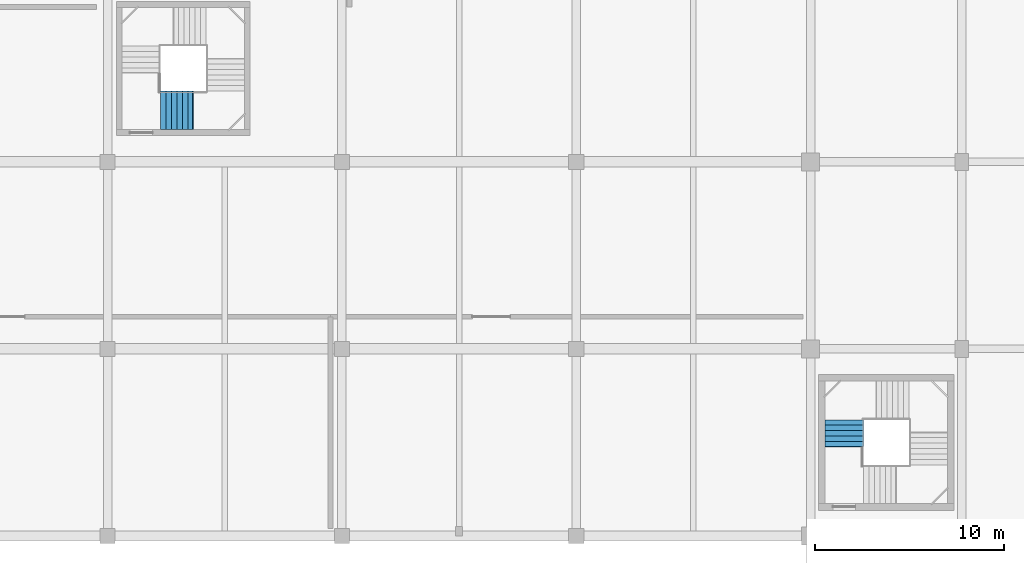
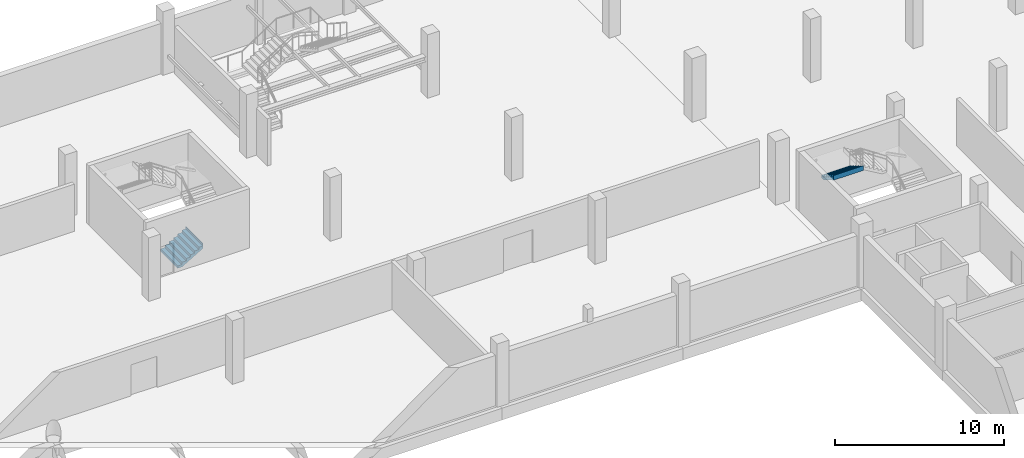
# One storey, part 20 of 32: 2 stair flights, 2 elements without a shape of their own.
"""IFC4 building model written with IfcOpenShell, lengths in metres."""

from ifc_helpers import new_model, si_unit, direction, frame, origin, place, context, subcontext, project, spatial, triangles, material, type_object, element, aggregate, save


model = new_model("IFC4")

# Units and contexts
model_context = context("Model", 3, precision=1e-05, world=origin(), true_north=direction((0.0, 1.0)))
body_context = subcontext(model_context, "Body", "Model", "MODEL_VIEW")
ifc_project = project(units=[si_unit("LENGTHUNIT", "METRE"), si_unit("AREAUNIT", "SQUARE_METRE"), si_unit("VOLUMEUNIT", "CUBIC_METRE"), si_unit("PLANEANGLEUNIT", "RADIAN"), si_unit("MASSUNIT", "GRAM", prefix="KILO")], contexts=[model_context])

# Site, building, storey
site_placement = place(None, origin())
site = spatial("IfcSite", under=ifc_project, at=site_placement, CompositionType="ELEMENT")
building_placement = place(site_placement, origin())
building = spatial("IfcBuilding", under=site, at=building_placement, Name="Sillaruma Civic Art Gallery", CompositionType="ELEMENT")
storey_placement = place(building_placement, frame((0.0, 0.0, -4.590087890625)))
storey = spatial("IfcBuildingStorey", under=building, at=storey_placement, Name="B01", CompositionType="ELEMENT", Elevation=-4.590087890625)

# Stair, stair flight
ifc_material = material(Name="Concrete H35 (35 MPa)", Category="concrete")
stair_type = type_object("IfcStairType", Name="STR-4F-27", PredefinedType="USERDEFINED", material=ifc_material)
stair_1_placement = place(storey_placement, origin())
stair_1 = element("IfcStair", 1, at=stair_1_placement, inside=storey, type_object=stair_type, Name="Protected Exit Stair ST-02 (West Bar North) (B01)", ObjectType="THREE_RETURN_STAIR", PredefinedType="USERDEFINED")
stair_flight_type_1 = type_object("IfcStairFlightType", Name="SFL-STR-6", PredefinedType="STRAIGHT", material=ifc_material)
stair_flight_1_placement = place(storey_placement, frame((63.780029296875, 85.35009765625, 3.570068359375), z_axis=(0.0, 0.0, 1.0), x_axis=(0.0, -1.0, 0.0)))
stair_flight_1 = element("IfcStairFlight", 2, at=stair_flight_1_placement, type_object=stair_flight_type_1, Name="ST-02 flight 4", NumberOfRisers=6, NumberOfTreads=5, PredefinedType="STRAIGHT", RiserHeight=0.17, TreadLength=0.29, context=body_context, shape_type="Tessellation", body=[
    triangles([(0.0, -1.02001953125, 0.0), (0.29, -1.02001953125, 0.0), (0.296365, -1.02001953125, 0.0), (0.58, -1.02001953125, 0.166269), (0.87, -1.02001953125, 0.336269), (1.16, -1.02001953125, 0.506269), (1.409951, -1.02001953125, 0.652792), (1.449951, -1.02001953125, 0.67624), (1.449951, -1.02001953125, 1.02), (1.409951, -1.02001953125, 1.02), (1.409951, -1.02001953125, 0.85), (1.16, -1.02001953125, 0.85), (1.16, -1.02001953125, 0.68), (0.87, -1.02001953125, 0.68), (0.87, -1.02001953125, 0.51), (0.58, -1.02001953125, 0.51), (0.58, -1.02001953125, 0.34), (0.296365, -1.02001953125, 0.34), (0.29, -1.02001953125, 0.34), (0.29, -1.02001953125, 0.17), (0.0, -1.02001953125, 0.17), (0.0, -0.05, 0.0), (0.29, -0.05, 0.0), (0.296365, -0.05, 0.0), (0.58, -0.05, 0.166269), (0.87, -0.05, 0.336269), (1.16, -0.05, 0.506269), (1.409951, -0.05, 0.652792), (1.449951, -0.05, 0.67624), (1.449951, -0.05, 1.02), (1.409951, -0.05, 1.02), (1.409951, -0.05, 0.85), (1.16, -0.05, 0.85), (1.16, -0.05, 0.68), (0.87, -0.05, 0.68), (0.87, -0.05, 0.51), (0.58, -0.05, 0.51), (0.58, -0.05, 0.34), (0.296365, -0.05, 0.34), (0.29, -0.05, 0.34), (0.29, -0.05, 0.17), (0.0, -0.05, 0.17), (0.0, -0.0375, 0.0), (0.29, -0.0375, 0.0), (0.296365, -0.0375, 0.0), (0.58, -0.0375, 0.166269), (0.87, -0.0375, 0.336269), (1.16, -0.0375, 0.506269), (1.409951, -0.0375, 0.652792), (1.449951, -0.0375, 0.67624), (1.449951, -0.0375, 1.02), (1.409951, -0.0375, 1.02), (1.409951, -0.0375, 0.85), (1.16, -0.0375, 0.85), (1.16, -0.0375, 0.68), (0.87, -0.0375, 0.68), (0.87, -0.0375, 0.51), (0.58, -0.0375, 0.51), (0.58, -0.0375, 0.34), (0.296365, -0.0375, 0.34), (0.29, -0.0375, 0.34), (0.29, -0.0375, 0.17), (0.0, -0.0375, 0.17), (0.0, -0.025, 0.0), (0.29, -0.025, 0.0), (0.296365, -0.025, 0.0), (0.58, -0.025, 0.166269), (0.87, -0.025, 0.336269), (1.16, -0.025, 0.506269), (1.409951, -0.025, 0.652792), (1.449951, -0.025, 0.67624), (1.449951, -0.025, 1.02), (1.409951, -0.025, 1.02), (1.409951, -0.025, 0.85), (1.16, -0.025, 0.85), (1.16, -0.025, 0.68), (0.87, -0.025, 0.68), (0.87, -0.025, 0.51), (0.58, -0.025, 0.51), (0.58, -0.025, 0.34), (0.296365, -0.025, 0.34), (0.29, -0.025, 0.34), (0.29, -0.025, 0.17), (0.0, -0.025, 0.17), (0.0, -0.0125, 0.0), (0.29, -0.0125, 0.0), (0.296365, -0.0125, 0.0), (0.58, -0.0125, 0.166269), (0.87, -0.0125, 0.336269), (1.16, -0.0125, 0.506269), (1.409951, -0.0125, 0.652792), (1.449951, -0.0125, 0.67624), (1.449951, -0.0125, 1.02), (1.409951, -0.0125, 1.02), (1.409951, -0.0125, 0.85), (1.16, -0.0125, 0.85), (1.16, -0.0125, 0.68), (0.87, -0.0125, 0.68), (0.87, -0.0125, 0.51), (0.58, -0.0125, 0.51), (0.58, -0.0125, 0.34), (0.296365, -0.0125, 0.34), (0.29, -0.0125, 0.34), (0.29, -0.0125, 0.17), (0.0, -0.0125, 0.17), (0.0, 0.0, 0.0), (0.29, 0.0, 0.0), (0.296365, 0.0, 0.0), (0.58, 0.0, 0.166269), (0.87, 0.0, 0.336269), (1.16, 0.0, 0.506269), (1.409951, 0.0, 0.652792), (1.449951, 0.0, 0.67624), (1.449951, 0.0, 1.02), (1.409951, 0.0, 1.02), (1.409951, 0.0, 0.85), (1.16, 0.0, 0.85), (1.16, 0.0, 0.68), (0.87, 0.0, 0.68), (0.87, 0.0, 0.51), (0.58, 0.0, 0.51), (0.58, 0.0, 0.34), (0.296365, 0.0, 0.34), (0.29, 0.0, 0.34), (0.29, 0.0, 0.17), (0.0, 0.0, 0.17), (0.0, 0.0125, 0.0), (0.29, 0.0125, 0.0), (0.296365, 0.0125, 0.0), (0.58, 0.0125, 0.166269), (0.87, 0.0125, 0.336269), (1.16, 0.0125, 0.506269), (1.409951, 0.0125, 0.652792), (1.449951, 0.0125, 0.67624), (1.449951, 0.0125, 1.02), (1.409951, 0.0125, 1.02), (1.409951, 0.0125, 0.85), (1.16, 0.0125, 0.85), (1.16, 0.0125, 0.68), (0.87, 0.0125, 0.68), (0.87, 0.0125, 0.51), (0.58, 0.0125, 0.51), (0.58, 0.0125, 0.34), (0.296365, 0.0125, 0.34), (0.29, 0.0125, 0.34), (0.29, 0.0125, 0.17), (0.0, 0.0125, 0.17), (0.0, 0.025, 0.0), (0.29, 0.025, 0.0), (0.296365, 0.025, 0.0), (0.58, 0.025, 0.166269), (0.87, 0.025, 0.336269), (1.16, 0.025, 0.506269), (1.409951, 0.025, 0.652792), (1.449951, 0.025, 0.67624), (1.449951, 0.025, 1.02), (1.409951, 0.025, 1.02), (1.409951, 0.025, 0.85), (1.16, 0.025, 0.85), (1.16, 0.025, 0.68), (0.87, 0.025, 0.68), (0.87, 0.025, 0.51), (0.58, 0.025, 0.51), (0.58, 0.025, 0.34), (0.296365, 0.025, 0.34), (0.29, 0.025, 0.34), (0.29, 0.025, 0.17), (0.0, 0.025, 0.17), (0.0, 0.0375, 0.0), (0.29, 0.0375, 0.0), (0.296365, 0.0375, 0.0), (0.58, 0.0375, 0.166269), (0.87, 0.0375, 0.336269), (1.16, 0.0375, 0.506269), (1.409951, 0.0375, 0.652792), (1.449951, 0.0375, 0.67624), (1.449951, 0.0375, 1.02), (1.409951, 0.0375, 1.02), (1.409951, 0.0375, 0.85), (1.16, 0.0375, 0.85), (1.16, 0.0375, 0.68), (0.87, 0.0375, 0.68), (0.87, 0.0375, 0.51), (0.58, 0.0375, 0.51), (0.58, 0.0375, 0.34), (0.296365, 0.0375, 0.34), (0.29, 0.0375, 0.34), (0.29, 0.0375, 0.17), (0.0, 0.0375, 0.17), (0.0, 0.05, 0.0), (0.29, 0.05, 0.0), (0.296365, 0.05, 0.0), (0.58, 0.05, 0.166269), (0.87, 0.05, 0.336269), (1.16, 0.05, 0.506269), (1.409951, 0.05, 0.652792), (1.449951, 0.05, 0.67624), (1.449951, 0.05, 1.02), (1.409951, 0.05, 1.02), (1.409951, 0.05, 0.85), (1.16, 0.05, 0.85), (1.16, 0.05, 0.68), (0.87, 0.05, 0.68), (0.87, 0.05, 0.51), (0.58, 0.05, 0.51), (0.58, 0.05, 0.34), (0.296365, 0.05, 0.34), (0.29, 0.05, 0.34), (0.29, 0.05, 0.17), (0.0, 0.05, 0.17), (0.0, 1.02001953125, 0.0), (0.29, 1.02001953125, 0.0), (0.296365, 1.02001953125, 0.0), (0.58, 1.02001953125, 0.166269), (0.87, 1.02001953125, 0.336269), (1.16, 1.02001953125, 0.506269), (1.409951, 1.02001953125, 0.652792), (1.449951, 1.02001953125, 0.67624), (1.449951, 1.02001953125, 1.02), (1.409951, 1.02001953125, 1.02), (1.409951, 1.02001953125, 0.85), (1.16, 1.02001953125, 0.85), (1.16, 1.02001953125, 0.68), (0.87, 1.02001953125, 0.68), (0.87, 1.02001953125, 0.51), (0.58, 1.02001953125, 0.51), (0.58, 1.02001953125, 0.34), (0.296365, 1.02001953125, 0.34), (0.29, 1.02001953125, 0.34), (0.29, 1.02001953125, 0.17), (0.0, 1.02001953125, 0.17)], [[1, 2, 20], [1, 20, 21], [2, 3, 18], [2, 18, 20], [20, 18, 19], [3, 4, 17], [3, 17, 18], [4, 5, 15], [4, 15, 17], [17, 15, 16], [5, 6, 13], [5, 13, 15], [15, 13, 14], [6, 7, 11], [6, 11, 13], [13, 11, 12], [7, 8, 9], [7, 9, 11], [11, 9, 10], [230, 212, 211], [231, 230, 211], [228, 213, 212], [230, 228, 212], [229, 228, 230], [227, 214, 213], [228, 227, 213], [225, 215, 214], [227, 225, 214], [226, 225, 227], [223, 216, 215], [225, 223, 215], [224, 223, 225], [221, 217, 216], [223, 221, 216], [222, 221, 223], [219, 218, 217], [221, 219, 217], [220, 219, 221], [2, 1, 22], [2, 22, 23], [3, 2, 23], [3, 23, 24], [4, 3, 24], [4, 24, 25], [5, 4, 25], [5, 25, 26], [6, 5, 26], [6, 26, 27], [7, 6, 27], [7, 27, 28], [8, 7, 28], [8, 28, 29], [9, 8, 29], [9, 29, 30], [10, 9, 30], [10, 30, 31], [11, 10, 31], [11, 31, 32], [12, 11, 32], [12, 32, 33], [13, 12, 33], [13, 33, 34], [14, 13, 34], [14, 34, 35], [15, 14, 35], [15, 35, 36], [16, 15, 36], [16, 36, 37], [17, 16, 37], [17, 37, 38], [18, 17, 38], [18, 38, 39], [19, 18, 39], [19, 39, 40], [20, 19, 40], [20, 40, 41], [21, 20, 41], [21, 41, 42], [1, 21, 42], [1, 42, 22], [23, 22, 43], [23, 43, 44], [24, 23, 44], [24, 44, 45], [25, 24, 45], [25, 45, 46], [26, 25, 46], [26, 46, 47], [27, 26, 47], [27, 47, 48], [28, 27, 48], [28, 48, 49], [29, 28, 49], [29, 49, 50], [30, 29, 50], [30, 50, 51], [31, 30, 51], [31, 51, 52], [32, 31, 52], [32, 52, 53], [33, 32, 53], [33, 53, 54], [34, 33, 54], [34, 54, 55], [35, 34, 55], [35, 55, 56], [36, 35, 56], [36, 56, 57], [37, 36, 57], [37, 57, 58], [38, 37, 58], [38, 58, 59], [39, 38, 59], [39, 59, 60], [40, 39, 60], [40, 60, 61], [41, 40, 61], [41, 61, 62], [42, 41, 62], [42, 62, 63], [22, 42, 63], [22, 63, 43], [44, 43, 64], [44, 64, 65], [45, 44, 65], [45, 65, 66], [46, 45, 66], [46, 66, 67], [47, 46, 67], [47, 67, 68], [48, 47, 68], [48, 68, 69], [49, 48, 69], [49, 69, 70], [50, 49, 70], [50, 70, 71], [51, 50, 71], [51, 71, 72], [52, 51, 72], [52, 72, 73], [53, 52, 73], [53, 73, 74], [54, 53, 74], [54, 74, 75], [55, 54, 75], [55, 75, 76], [56, 55, 76], [56, 76, 77], [57, 56, 77], [57, 77, 78], [58, 57, 78], [58, 78, 79], [59, 58, 79], [59, 79, 80], [60, 59, 80], [60, 80, 81], [61, 60, 81], [61, 81, 82], [62, 61, 82], [62, 82, 83], [63, 62, 83], [63, 83, 84], [43, 63, 84], [43, 84, 64], [65, 64, 85], [65, 85, 86], [66, 65, 86], [66, 86, 87], [67, 66, 87], [67, 87, 88], [68, 67, 88], [68, 88, 89], [69, 68, 89], [69, 89, 90], [70, 69, 90], [70, 90, 91], [71, 70, 91], [71, 91, 92], [72, 71, 92], [72, 92, 93], [73, 72, 93], [73, 93, 94], [74, 73, 94], [74, 94, 95], [75, 74, 95], [75, 95, 96], [76, 75, 96], [76, 96, 97], [77, 76, 97], [77, 97, 98], [78, 77, 98], [78, 98, 99], [79, 78, 99], [79, 99, 100], [80, 79, 100], [80, 100, 101], [81, 80, 101], [81, 101, 102], [82, 81, 102], [82, 102, 103], [83, 82, 103], [83, 103, 104], [84, 83, 104], [84, 104, 105], [64, 84, 105], [64, 105, 85], [86, 85, 106], [86, 106, 107], [87, 86, 107], [87, 107, 108], [88, 87, 108], [88, 108, 109], [89, 88, 109], [89, 109, 110], [90, 89, 110], [90, 110, 111], [91, 90, 111], [91, 111, 112], [92, 91, 112], [92, 112, 113], [93, 92, 113], [93, 113, 114], [94, 93, 114], [94, 114, 115], [95, 94, 115], [95, 115, 116], [96, 95, 116], [96, 116, 117], [97, 96, 117], [97, 117, 118], [98, 97, 118], [98, 118, 119], [99, 98, 119], [99, 119, 120], [100, 99, 120], [100, 120, 121], [101, 100, 121], [101, 121, 122], [102, 101, 122], [102, 122, 123], [103, 102, 123], [103, 123, 124], [104, 103, 124], [104, 124, 125], [105, 104, 125], [105, 125, 126], [85, 105, 126], [85, 126, 106], [107, 106, 127], [107, 127, 128], [108, 107, 128], [108, 128, 129], [109, 108, 129], [109, 129, 130], [110, 109, 130], [110, 130, 131], [111, 110, 131], [111, 131, 132], [112, 111, 132], [112, 132, 133], [113, 112, 133], [113, 133, 134], [114, 113, 134], [114, 134, 135], [115, 114, 135], [115, 135, 136], [116, 115, 136], [116, 136, 137], [117, 116, 137], [117, 137, 138], [118, 117, 138], [118, 138, 139], [119, 118, 139], [119, 139, 140], [120, 119, 140], [120, 140, 141], [121, 120, 141], [121, 141, 142], [122, 121, 142], [122, 142, 143], [123, 122, 143], [123, 143, 144], [124, 123, 144], [124, 144, 145], [125, 124, 145], [125, 145, 146], [126, 125, 146], [126, 146, 147], [106, 126, 147], [106, 147, 127], [128, 127, 148], [128, 148, 149], [129, 128, 149], [129, 149, 150], [130, 129, 150], [130, 150, 151], [131, 130, 151], [131, 151, 152], [132, 131, 152], [132, 152, 153], [133, 132, 153], [133, 153, 154], [134, 133, 154], [134, 154, 155], [135, 134, 155], [135, 155, 156], [136, 135, 156], [136, 156, 157], [137, 136, 157], [137, 157, 158], [138, 137, 158], [138, 158, 159], [139, 138, 159], [139, 159, 160], [140, 139, 160], [140, 160, 161], [141, 140, 161], [141, 161, 162], [142, 141, 162], [142, 162, 163], [143, 142, 163], [143, 163, 164], [144, 143, 164], [144, 164, 165], [145, 144, 165], [145, 165, 166], [146, 145, 166], [146, 166, 167], [147, 146, 167], [147, 167, 168], [127, 147, 168], [127, 168, 148], [149, 148, 169], [149, 169, 170], [150, 149, 170], [150, 170, 171], [151, 150, 171], [151, 171, 172], [152, 151, 172], [152, 172, 173], [153, 152, 173], [153, 173, 174], [154, 153, 174], [154, 174, 175], [155, 154, 175], [155, 175, 176], [156, 155, 176], [156, 176, 177], [157, 156, 177], [157, 177, 178], [158, 157, 178], [158, 178, 179], [159, 158, 179], [159, 179, 180], [160, 159, 180], [160, 180, 181], [161, 160, 181], [161, 181, 182], [162, 161, 182], [162, 182, 183], [163, 162, 183], [163, 183, 184], [164, 163, 184], [164, 184, 185], [165, 164, 185], [165, 185, 186], [166, 165, 186], [166, 186, 187], [167, 166, 187], [167, 187, 188], [168, 167, 188], [168, 188, 189], [148, 168, 189], [148, 189, 169], [170, 169, 190], [170, 190, 191], [171, 170, 191], [171, 191, 192], [172, 171, 192], [172, 192, 193], [173, 172, 193], [173, 193, 194], [174, 173, 194], [174, 194, 195], [175, 174, 195], [175, 195, 196], [176, 175, 196], [176, 196, 197], [177, 176, 197], [177, 197, 198], [178, 177, 198], [178, 198, 199], [179, 178, 199], [179, 199, 200], [180, 179, 200], [180, 200, 201], [181, 180, 201], [181, 201, 202], [182, 181, 202], [182, 202, 203], [183, 182, 203], [183, 203, 204], [184, 183, 204], [184, 204, 205], [185, 184, 205], [185, 205, 206], [186, 185, 206], [186, 206, 207], [187, 186, 207], [187, 207, 208], [188, 187, 208], [188, 208, 209], [189, 188, 209], [189, 209, 210], [169, 189, 210], [169, 210, 190], [191, 190, 211], [191, 211, 212], [192, 191, 212], [192, 212, 213], [193, 192, 213], [193, 213, 214], [194, 193, 214], [194, 214, 215], [195, 194, 215], [195, 215, 216], [196, 195, 216], [196, 216, 217], [197, 196, 217], [197, 217, 218], [198, 197, 218], [198, 218, 219], [199, 198, 219], [199, 219, 220], [200, 199, 220], [200, 220, 221], [201, 200, 221], [201, 221, 222], [202, 201, 222], [202, 222, 223], [203, 202, 223], [203, 223, 224], [204, 203, 224], [204, 224, 225], [205, 204, 225], [205, 225, 226], [206, 205, 226], [206, 226, 227], [207, 206, 227], [207, 227, 228], [208, 207, 228], [208, 228, 229], [209, 208, 229], [209, 229, 230], [210, 209, 230], [210, 230, 231], [190, 210, 231], [190, 231, 211]], closed=True),
])
aggregate(stair_1, [stair_flight_1])

stair_2_placement = place(storey_placement, origin())
stair_2 = element("IfcStair", 3, at=stair_2_placement, inside=storey, type_object=stair_type, Name="Protected Exit Stair ST-01 (West Wing) (B01)", ObjectType="THREE_RETURN_STAIR", PredefinedType="USERDEFINED")
stair_flight_type_2 = type_object("IfcStairFlightType", Name="SFL-STR-7", PredefinedType="STRAIGHT", material=ifc_material)
stair_flight_2_placement = place(storey_placement, frame((27.60009765625, 101.719970703125, 0.0), z_axis=(0.0, 0.0, 1.0), x_axis=(1.0, 0.0, 0.0)))
stair_flight_2 = element("IfcStairFlight", 4, at=stair_flight_2_placement, type_object=stair_flight_type_2, Name="ST-01 flight 1", NumberOfRisers=7, NumberOfTreads=6, PredefinedType="STRAIGHT", RiserHeight=0.17, TreadLength=0.29, context=body_context, shape_type="Tessellation", body=[
    triangles([(0.0, -1.02001953125, 0.0), (0.29, -1.02001953125, 0.0), (0.296404, -1.02001953125, 0.0), (0.58, -1.02001953125, 0.166246), (0.87, -1.02001953125, 0.336246), (1.16, -1.02001953125, 0.506246), (1.45, -1.02001953125, 0.676246), (1.69999, -1.02001953125, 0.822792), (1.73999, -1.02001953125, 0.84624), (1.73999, -1.02001953125, 1.19), (1.69999, -1.02001953125, 1.19), (1.69999, -1.02001953125, 1.02), (1.45, -1.02001953125, 1.02), (1.45, -1.02001953125, 0.85), (1.16, -1.02001953125, 0.85), (1.16, -1.02001953125, 0.68), (0.87, -1.02001953125, 0.68), (0.87, -1.02001953125, 0.51), (0.58, -1.02001953125, 0.51), (0.58, -1.02001953125, 0.34), (0.296404, -1.02001953125, 0.34), (0.29, -1.02001953125, 0.34), (0.29, -1.02001953125, 0.17), (0.0, -1.02001953125, 0.17), (0.0, -0.05, 0.0), (0.29, -0.05, 0.0), (0.296404, -0.05, 0.0), (0.58, -0.05, 0.166246), (0.87, -0.05, 0.336246), (1.16, -0.05, 0.506246), (1.45, -0.05, 0.676246), (1.69999, -0.05, 0.822792), (1.73999, -0.05, 0.84624), (1.73999, -0.05, 1.19), (1.69999, -0.05, 1.19), (1.69999, -0.05, 1.02), (1.45, -0.05, 1.02), (1.45, -0.05, 0.85), (1.16, -0.05, 0.85), (1.16, -0.05, 0.68), (0.87, -0.05, 0.68), (0.87, -0.05, 0.51), (0.58, -0.05, 0.51), (0.58, -0.05, 0.34), (0.296404, -0.05, 0.34), (0.29, -0.05, 0.34), (0.29, -0.05, 0.17), (0.0, -0.05, 0.17), (0.0, -0.0375, 0.0), (0.29, -0.0375, 0.0), (0.296404, -0.0375, 0.0), (0.58, -0.0375, 0.166246), (0.87, -0.0375, 0.336246), (1.16, -0.0375, 0.506246), (1.45, -0.0375, 0.676246), (1.69999, -0.0375, 0.822792), (1.73999, -0.0375, 0.84624), (1.73999, -0.0375, 1.19), (1.69999, -0.0375, 1.19), (1.69999, -0.0375, 1.02), (1.45, -0.0375, 1.02), (1.45, -0.0375, 0.85), (1.16, -0.0375, 0.85), (1.16, -0.0375, 0.68), (0.87, -0.0375, 0.68), (0.87, -0.0375, 0.51), (0.58, -0.0375, 0.51), (0.58, -0.0375, 0.34), (0.296404, -0.0375, 0.34), (0.29, -0.0375, 0.34), (0.29, -0.0375, 0.17), (0.0, -0.0375, 0.17), (0.0, -0.025, 0.0), (0.29, -0.025, 0.0), (0.296404, -0.025, 0.0), (0.58, -0.025, 0.166246), (0.87, -0.025, 0.336246), (1.16, -0.025, 0.506246), (1.45, -0.025, 0.676246), (1.69999, -0.025, 0.822792), (1.73999, -0.025, 0.84624), (1.73999, -0.025, 1.19), (1.69999, -0.025, 1.19), (1.69999, -0.025, 1.02), (1.45, -0.025, 1.02), (1.45, -0.025, 0.85), (1.16, -0.025, 0.85), (1.16, -0.025, 0.68), (0.87, -0.025, 0.68), (0.87, -0.025, 0.51), (0.58, -0.025, 0.51), (0.58, -0.025, 0.34), (0.296404, -0.025, 0.34), (0.29, -0.025, 0.34), (0.29, -0.025, 0.17), (0.0, -0.025, 0.17), (0.0, -0.0125, 0.0), (0.29, -0.0125, 0.0), (0.296404, -0.0125, 0.0), (0.58, -0.0125, 0.166246), (0.87, -0.0125, 0.336246), (1.16, -0.0125, 0.506246), (1.45, -0.0125, 0.676246), (1.69999, -0.0125, 0.822792), (1.73999, -0.0125, 0.84624), (1.73999, -0.0125, 1.19), (1.69999, -0.0125, 1.19), (1.69999, -0.0125, 1.02), (1.45, -0.0125, 1.02), (1.45, -0.0125, 0.85), (1.16, -0.0125, 0.85), (1.16, -0.0125, 0.68), (0.87, -0.0125, 0.68), (0.87, -0.0125, 0.51), (0.58, -0.0125, 0.51), (0.58, -0.0125, 0.34), (0.296404, -0.0125, 0.34), (0.29, -0.0125, 0.34), (0.29, -0.0125, 0.17), (0.0, -0.0125, 0.17), (0.0, 0.0, 0.0), (0.29, 0.0, 0.0), (0.296404, 0.0, 0.0), (0.58, 0.0, 0.166246), (0.87, 0.0, 0.336246), (1.16, 0.0, 0.506246), (1.45, 0.0, 0.676246), (1.69999, 0.0, 0.822792), (1.73999, 0.0, 0.84624), (1.73999, 0.0, 1.19), (1.69999, 0.0, 1.19), (1.69999, 0.0, 1.02), (1.45, 0.0, 1.02), (1.45, 0.0, 0.85), (1.16, 0.0, 0.85), (1.16, 0.0, 0.68), (0.87, 0.0, 0.68), (0.87, 0.0, 0.51), (0.58, 0.0, 0.51), (0.58, 0.0, 0.34), (0.296404, 0.0, 0.34), (0.29, 0.0, 0.34), (0.29, 0.0, 0.17), (0.0, 0.0, 0.17), (0.0, 0.0125, 0.0), (0.29, 0.0125, 0.0), (0.296404, 0.0125, 0.0), (0.58, 0.0125, 0.166246), (0.87, 0.0125, 0.336246), (1.16, 0.0125, 0.506246), (1.45, 0.0125, 0.676246), (1.69999, 0.0125, 0.822792), (1.73999, 0.0125, 0.84624), (1.73999, 0.0125, 1.19), (1.69999, 0.0125, 1.19), (1.69999, 0.0125, 1.02), (1.45, 0.0125, 1.02), (1.45, 0.0125, 0.85), (1.16, 0.0125, 0.85), (1.16, 0.0125, 0.68), (0.87, 0.0125, 0.68), (0.87, 0.0125, 0.51), (0.58, 0.0125, 0.51), (0.58, 0.0125, 0.34), (0.296404, 0.0125, 0.34), (0.29, 0.0125, 0.34), (0.29, 0.0125, 0.17), (0.0, 0.0125, 0.17), (0.0, 0.025, 0.0), (0.29, 0.025, 0.0), (0.296404, 0.025, 0.0), (0.58, 0.025, 0.166246), (0.87, 0.025, 0.336246), (1.16, 0.025, 0.506246), (1.45, 0.025, 0.676246), (1.69999, 0.025, 0.822792), (1.73999, 0.025, 0.84624), (1.73999, 0.025, 1.19), (1.69999, 0.025, 1.19), (1.69999, 0.025, 1.02), (1.45, 0.025, 1.02), (1.45, 0.025, 0.85), (1.16, 0.025, 0.85), (1.16, 0.025, 0.68), (0.87, 0.025, 0.68), (0.87, 0.025, 0.51), (0.58, 0.025, 0.51), (0.58, 0.025, 0.34), (0.296404, 0.025, 0.34), (0.29, 0.025, 0.34), (0.29, 0.025, 0.17), (0.0, 0.025, 0.17), (0.0, 0.0375, 0.0), (0.29, 0.0375, 0.0), (0.296404, 0.0375, 0.0), (0.58, 0.0375, 0.166246), (0.87, 0.0375, 0.336246), (1.16, 0.0375, 0.506246), (1.45, 0.0375, 0.676246), (1.69999, 0.0375, 0.822792), (1.73999, 0.0375, 0.84624), (1.73999, 0.0375, 1.19), (1.69999, 0.0375, 1.19), (1.69999, 0.0375, 1.02), (1.45, 0.0375, 1.02), (1.45, 0.0375, 0.85), (1.16, 0.0375, 0.85), (1.16, 0.0375, 0.68), (0.87, 0.0375, 0.68), (0.87, 0.0375, 0.51), (0.58, 0.0375, 0.51), (0.58, 0.0375, 0.34), (0.296404, 0.0375, 0.34), (0.29, 0.0375, 0.34), (0.29, 0.0375, 0.17), (0.0, 0.0375, 0.17), (0.0, 0.05, 0.0), (0.29, 0.05, 0.0), (0.296404, 0.05, 0.0), (0.58, 0.05, 0.166246), (0.87, 0.05, 0.336246), (1.16, 0.05, 0.506246), (1.45, 0.05, 0.676246), (1.69999, 0.05, 0.822792), (1.73999, 0.05, 0.84624), (1.73999, 0.05, 1.19), (1.69999, 0.05, 1.19), (1.69999, 0.05, 1.02), (1.45, 0.05, 1.02), (1.45, 0.05, 0.85), (1.16, 0.05, 0.85), (1.16, 0.05, 0.68), (0.87, 0.05, 0.68), (0.87, 0.05, 0.51), (0.58, 0.05, 0.51), (0.58, 0.05, 0.34), (0.296404, 0.05, 0.34), (0.29, 0.05, 0.34), (0.29, 0.05, 0.17), (0.0, 0.05, 0.17), (0.0, 1.02001953125, 0.0), (0.29, 1.02001953125, 0.0), (0.296404, 1.02001953125, 0.0), (0.58, 1.02001953125, 0.166246), (0.87, 1.02001953125, 0.336246), (1.16, 1.02001953125, 0.506246), (1.45, 1.02001953125, 0.676246), (1.69999, 1.02001953125, 0.822792), (1.73999, 1.02001953125, 0.84624), (1.73999, 1.02001953125, 1.19), (1.69999, 1.02001953125, 1.19), (1.69999, 1.02001953125, 1.02), (1.45, 1.02001953125, 1.02), (1.45, 1.02001953125, 0.85), (1.16, 1.02001953125, 0.85), (1.16, 1.02001953125, 0.68), (0.87, 1.02001953125, 0.68), (0.87, 1.02001953125, 0.51), (0.58, 1.02001953125, 0.51), (0.58, 1.02001953125, 0.34), (0.296404, 1.02001953125, 0.34), (0.29, 1.02001953125, 0.34), (0.29, 1.02001953125, 0.17), (0.0, 1.02001953125, 0.17)], [[1, 2, 23], [1, 23, 24], [2, 3, 21], [2, 21, 23], [23, 21, 22], [3, 4, 20], [3, 20, 21], [4, 5, 18], [4, 18, 20], [20, 18, 19], [5, 6, 16], [5, 16, 18], [18, 16, 17], [6, 7, 14], [6, 14, 16], [16, 14, 15], [7, 8, 12], [7, 12, 14], [14, 12, 13], [8, 9, 10], [8, 10, 12], [12, 10, 11], [263, 242, 241], [264, 263, 241], [261, 243, 242], [263, 261, 242], [262, 261, 263], [260, 244, 243], [261, 260, 243], [258, 245, 244], [260, 258, 244], [259, 258, 260], [256, 246, 245], [258, 256, 245], [257, 256, 258], [254, 247, 246], [256, 254, 246], [255, 254, 256], [252, 248, 247], [254, 252, 247], [253, 252, 254], [250, 249, 248], [252, 250, 248], [251, 250, 252], [2, 1, 25], [2, 25, 26], [3, 2, 26], [3, 26, 27], [4, 3, 27], [4, 27, 28], [5, 4, 28], [5, 28, 29], [6, 5, 29], [6, 29, 30], [7, 6, 30], [7, 30, 31], [8, 7, 31], [8, 31, 32], [9, 8, 32], [9, 32, 33], [10, 9, 33], [10, 33, 34], [11, 10, 34], [11, 34, 35], [12, 11, 35], [12, 35, 36], [13, 12, 36], [13, 36, 37], [14, 13, 37], [14, 37, 38], [15, 14, 38], [15, 38, 39], [16, 15, 39], [16, 39, 40], [17, 16, 40], [17, 40, 41], [18, 17, 41], [18, 41, 42], [19, 18, 42], [19, 42, 43], [20, 19, 43], [20, 43, 44], [21, 20, 44], [21, 44, 45], [22, 21, 45], [22, 45, 46], [23, 22, 46], [23, 46, 47], [24, 23, 47], [24, 47, 48], [1, 24, 48], [1, 48, 25], [26, 25, 49], [26, 49, 50], [27, 26, 50], [27, 50, 51], [28, 27, 51], [28, 51, 52], [29, 28, 52], [29, 52, 53], [30, 29, 53], [30, 53, 54], [31, 30, 54], [31, 54, 55], [32, 31, 55], [32, 55, 56], [33, 32, 56], [33, 56, 57], [34, 33, 57], [34, 57, 58], [35, 34, 58], [35, 58, 59], [36, 35, 59], [36, 59, 60], [37, 36, 60], [37, 60, 61], [38, 37, 61], [38, 61, 62], [39, 38, 62], [39, 62, 63], [40, 39, 63], [40, 63, 64], [41, 40, 64], [41, 64, 65], [42, 41, 65], [42, 65, 66], [43, 42, 66], [43, 66, 67], [44, 43, 67], [44, 67, 68], [45, 44, 68], [45, 68, 69], [46, 45, 69], [46, 69, 70], [47, 46, 70], [47, 70, 71], [48, 47, 71], [48, 71, 72], [25, 48, 72], [25, 72, 49], [50, 49, 73], [50, 73, 74], [51, 50, 74], [51, 74, 75], [52, 51, 75], [52, 75, 76], [53, 52, 76], [53, 76, 77], [54, 53, 77], [54, 77, 78], [55, 54, 78], [55, 78, 79], [56, 55, 79], [56, 79, 80], [57, 56, 80], [57, 80, 81], [58, 57, 81], [58, 81, 82], [59, 58, 82], [59, 82, 83], [60, 59, 83], [60, 83, 84], [61, 60, 84], [61, 84, 85], [62, 61, 85], [62, 85, 86], [63, 62, 86], [63, 86, 87], [64, 63, 87], [64, 87, 88], [65, 64, 88], [65, 88, 89], [66, 65, 89], [66, 89, 90], [67, 66, 90], [67, 90, 91], [68, 67, 91], [68, 91, 92], [69, 68, 92], [69, 92, 93], [70, 69, 93], [70, 93, 94], [71, 70, 94], [71, 94, 95], [72, 71, 95], [72, 95, 96], [49, 72, 96], [49, 96, 73], [74, 73, 97], [74, 97, 98], [75, 74, 98], [75, 98, 99], [76, 75, 99], [76, 99, 100], [77, 76, 100], [77, 100, 101], [78, 77, 101], [78, 101, 102], [79, 78, 102], [79, 102, 103], [80, 79, 103], [80, 103, 104], [81, 80, 104], [81, 104, 105], [82, 81, 105], [82, 105, 106], [83, 82, 106], [83, 106, 107], [84, 83, 107], [84, 107, 108], [85, 84, 108], [85, 108, 109], [86, 85, 109], [86, 109, 110], [87, 86, 110], [87, 110, 111], [88, 87, 111], [88, 111, 112], [89, 88, 112], [89, 112, 113], [90, 89, 113], [90, 113, 114], [91, 90, 114], [91, 114, 115], [92, 91, 115], [92, 115, 116], [93, 92, 116], [93, 116, 117], [94, 93, 117], [94, 117, 118], [95, 94, 118], [95, 118, 119], [96, 95, 119], [96, 119, 120], [73, 96, 120], [73, 120, 97], [98, 97, 121], [98, 121, 122], [99, 98, 122], [99, 122, 123], [100, 99, 123], [100, 123, 124], [101, 100, 124], [101, 124, 125], [102, 101, 125], [102, 125, 126], [103, 102, 126], [103, 126, 127], [104, 103, 127], [104, 127, 128], [105, 104, 128], [105, 128, 129], [106, 105, 129], [106, 129, 130], [107, 106, 130], [107, 130, 131], [108, 107, 131], [108, 131, 132], [109, 108, 132], [109, 132, 133], [110, 109, 133], [110, 133, 134], [111, 110, 134], [111, 134, 135], [112, 111, 135], [112, 135, 136], [113, 112, 136], [113, 136, 137], [114, 113, 137], [114, 137, 138], [115, 114, 138], [115, 138, 139], [116, 115, 139], [116, 139, 140], [117, 116, 140], [117, 140, 141], [118, 117, 141], [118, 141, 142], [119, 118, 142], [119, 142, 143], [120, 119, 143], [120, 143, 144], [97, 120, 144], [97, 144, 121], [122, 121, 145], [122, 145, 146], [123, 122, 146], [123, 146, 147], [124, 123, 147], [124, 147, 148], [125, 124, 148], [125, 148, 149], [126, 125, 149], [126, 149, 150], [127, 126, 150], [127, 150, 151], [128, 127, 151], [128, 151, 152], [129, 128, 152], [129, 152, 153], [130, 129, 153], [130, 153, 154], [131, 130, 154], [131, 154, 155], [132, 131, 155], [132, 155, 156], [133, 132, 156], [133, 156, 157], [134, 133, 157], [134, 157, 158], [135, 134, 158], [135, 158, 159], [136, 135, 159], [136, 159, 160], [137, 136, 160], [137, 160, 161], [138, 137, 161], [138, 161, 162], [139, 138, 162], [139, 162, 163], [140, 139, 163], [140, 163, 164], [141, 140, 164], [141, 164, 165], [142, 141, 165], [142, 165, 166], [143, 142, 166], [143, 166, 167], [144, 143, 167], [144, 167, 168], [121, 144, 168], [121, 168, 145], [146, 145, 169], [146, 169, 170], [147, 146, 170], [147, 170, 171], [148, 147, 171], [148, 171, 172], [149, 148, 172], [149, 172, 173], [150, 149, 173], [150, 173, 174], [151, 150, 174], [151, 174, 175], [152, 151, 175], [152, 175, 176], [153, 152, 176], [153, 176, 177], [154, 153, 177], [154, 177, 178], [155, 154, 178], [155, 178, 179], [156, 155, 179], [156, 179, 180], [157, 156, 180], [157, 180, 181], [158, 157, 181], [158, 181, 182], [159, 158, 182], [159, 182, 183], [160, 159, 183], [160, 183, 184], [161, 160, 184], [161, 184, 185], [162, 161, 185], [162, 185, 186], [163, 162, 186], [163, 186, 187], [164, 163, 187], [164, 187, 188], [165, 164, 188], [165, 188, 189], [166, 165, 189], [166, 189, 190], [167, 166, 190], [167, 190, 191], [168, 167, 191], [168, 191, 192], [145, 168, 192], [145, 192, 169], [170, 169, 193], [170, 193, 194], [171, 170, 194], [171, 194, 195], [172, 171, 195], [172, 195, 196], [173, 172, 196], [173, 196, 197], [174, 173, 197], [174, 197, 198], [175, 174, 198], [175, 198, 199], [176, 175, 199], [176, 199, 200], [177, 176, 200], [177, 200, 201], [178, 177, 201], [178, 201, 202], [179, 178, 202], [179, 202, 203], [180, 179, 203], [180, 203, 204], [181, 180, 204], [181, 204, 205], [182, 181, 205], [182, 205, 206], [183, 182, 206], [183, 206, 207], [184, 183, 207], [184, 207, 208], [185, 184, 208], [185, 208, 209], [186, 185, 209], [186, 209, 210], [187, 186, 210], [187, 210, 211], [188, 187, 211], [188, 211, 212], [189, 188, 212], [189, 212, 213], [190, 189, 213], [190, 213, 214], [191, 190, 214], [191, 214, 215], [192, 191, 215], [192, 215, 216], [169, 192, 216], [169, 216, 193], [194, 193, 217], [194, 217, 218], [195, 194, 218], [195, 218, 219], [196, 195, 219], [196, 219, 220], [197, 196, 220], [197, 220, 221], [198, 197, 221], [198, 221, 222], [199, 198, 222], [199, 222, 223], [200, 199, 223], [200, 223, 224], [201, 200, 224], [201, 224, 225], [202, 201, 225], [202, 225, 226], [203, 202, 226], [203, 226, 227], [204, 203, 227], [204, 227, 228], [205, 204, 228], [205, 228, 229], [206, 205, 229], [206, 229, 230], [207, 206, 230], [207, 230, 231], [208, 207, 231], [208, 231, 232], [209, 208, 232], [209, 232, 233], [210, 209, 233], [210, 233, 234], [211, 210, 234], [211, 234, 235], [212, 211, 235], [212, 235, 236], [213, 212, 236], [213, 236, 237], [214, 213, 237], [214, 237, 238], [215, 214, 238], [215, 238, 239], [216, 215, 239], [216, 239, 240], [193, 216, 240], [193, 240, 217], [218, 217, 241], [218, 241, 242], [219, 218, 242], [219, 242, 243], [220, 219, 243], [220, 243, 244], [221, 220, 244], [221, 244, 245], [222, 221, 245], [222, 245, 246], [223, 222, 246], [223, 246, 247], [224, 223, 247], [224, 247, 248], [225, 224, 248], [225, 248, 249], [226, 225, 249], [226, 249, 250], [227, 226, 250], [227, 250, 251], [228, 227, 251], [228, 251, 252], [229, 228, 252], [229, 252, 253], [230, 229, 253], [230, 253, 254], [231, 230, 254], [231, 254, 255], [232, 231, 255], [232, 255, 256], [233, 232, 256], [233, 256, 257], [234, 233, 257], [234, 257, 258], [235, 234, 258], [235, 258, 259], [236, 235, 259], [236, 259, 260], [237, 236, 260], [237, 260, 261], [238, 237, 261], [238, 261, 262], [239, 238, 262], [239, 262, 263], [240, 239, 263], [240, 263, 264], [217, 240, 264], [217, 264, 241]], closed=True),
])
aggregate(stair_2, [stair_flight_2])

save(model, "model.ifc")
